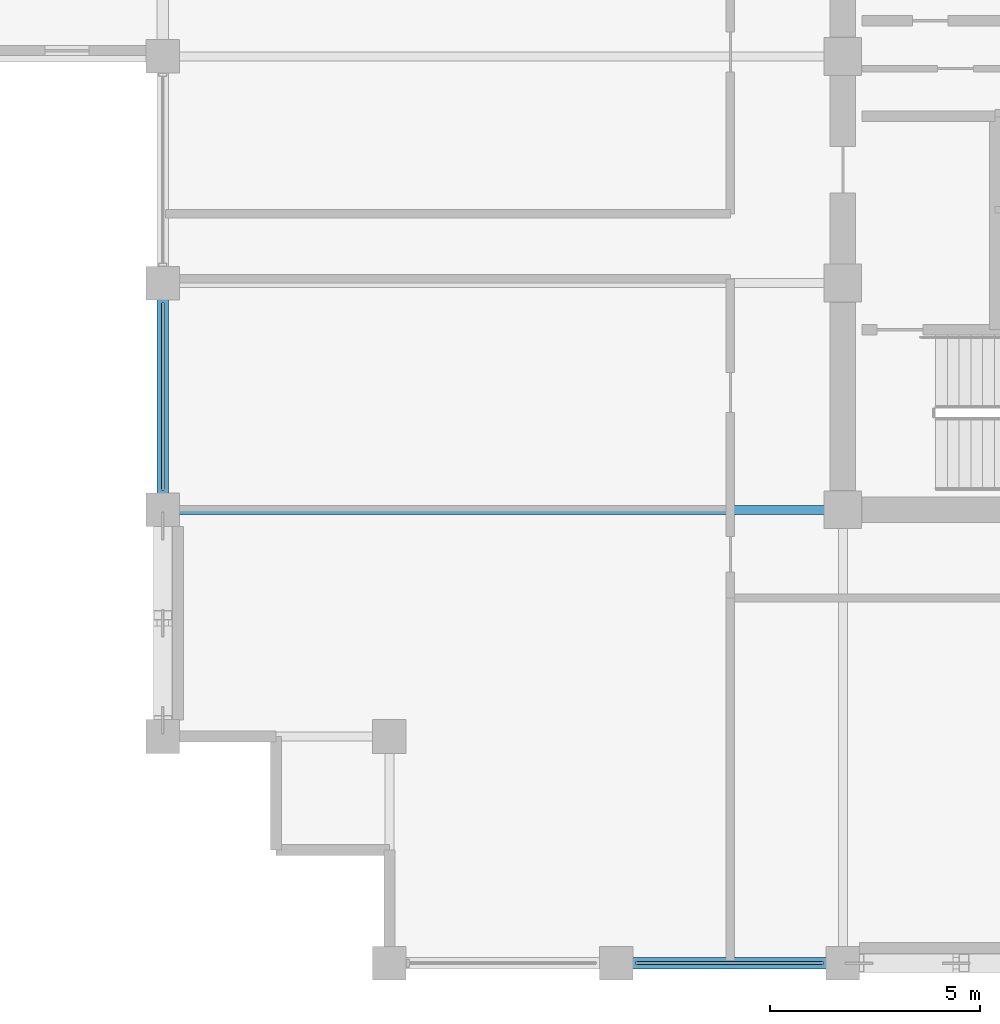
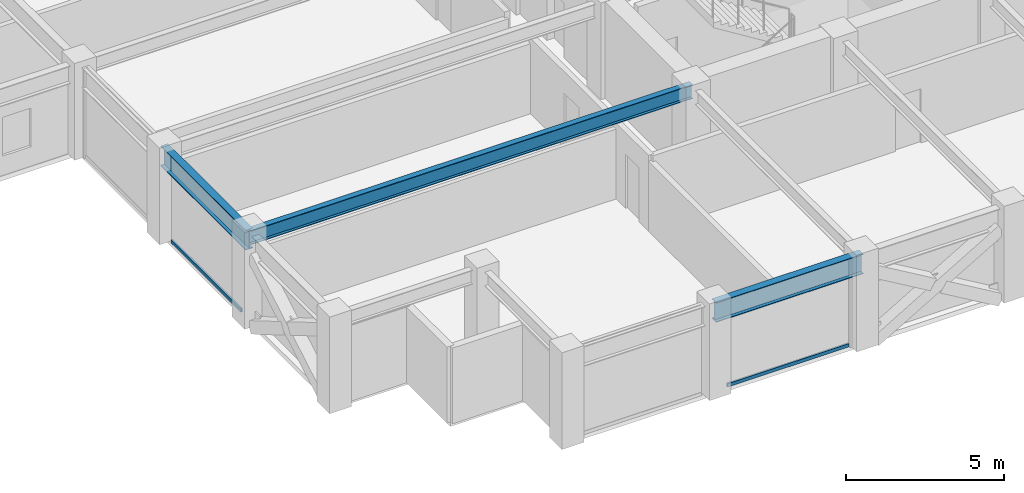
# One storey, part 3 of 28: 3 beams, 2 members, 2 elements without a shape of their own.
"""IFC4 building model written with IfcOpenShell, lengths in metres."""

from ifc_helpers import new_model, si_unit, direction, frame, origin, origin_2d, place, context, subcontext, project, spatial, hollow_rectangle, i_section, extrude, material, layer, layer_set, material_profile, profile_set, type_object, element, aggregate, save


model = new_model("IFC4")

# Units and contexts
model_context = context("Model", 3, precision=1e-05, world=origin(), true_north=direction((0.0, 1.0)))
body_context = subcontext(model_context, "Body", "Model", "MODEL_VIEW")
ifc_project = project(units=[si_unit("LENGTHUNIT", "METRE"), si_unit("AREAUNIT", "SQUARE_METRE"), si_unit("VOLUMEUNIT", "CUBIC_METRE"), si_unit("PLANEANGLEUNIT", "RADIAN"), si_unit("MASSUNIT", "GRAM", prefix="KILO")], contexts=[model_context])

# Site, building, storey
site_placement = place(None, origin())
site = spatial("IfcSite", under=ifc_project, at=site_placement, CompositionType="ELEMENT")
building_placement = place(site_placement, origin())
building = spatial("IfcBuilding", under=site, at=building_placement, Name="Surkhivell Harbour Commons", CompositionType="ELEMENT")
storey_placement = place(building_placement, frame((0.0, 0.0, 246.0)))
storey = spatial("IfcBuildingStorey", under=building, at=storey_placement, Name="L64", CompositionType="ELEMENT", Elevation=246.0)

# Beams
ifc_material_1 = material(Name="Steel S355", Category="steel")
ifc_material_profile_1 = material_profile(ifc_material_1, i_section(OverallWidth=0.2119140625, OverallDepth=0.5439453125, WebThickness=0.0126953125, FlangeThickness=0.021240234375, at=origin_2d()), Name="UB533x210x122")
ifc_profile_set_1 = profile_set([ifc_material_profile_1], Name="Steel S355")
beam_type_1 = type_object("IfcBeamType", Name="BM-GRD-533A", PredefinedType="BEAM", material=ifc_profile_set_1)
beam_1_placement = place(storey_placement, frame((-27.0, -10.800048828125, 3.22802734375), z_axis=(1.0, 0.0, 0.0), x_axis=(0.0, 1.0, 0.0)))
element("IfcBeam", 1, at=beam_1_placement, inside=storey, type_object=beam_type_1, Name="L64 Floor Girder (-27.0,-10.8)", PredefinedType="BEAM", context=body_context, shape_type="SweptSolid", body=[
    extrude(i_section(OverallWidth=0.2119140625, OverallDepth=0.5439453125, WebThickness=0.0126953125, FlangeThickness=0.021240234375, at=origin_2d()), origin(), (0.0, 0.0, 1.0), 16.199951171875),
])
ifc_material_profile_2 = material_profile(ifc_material_1, i_section(OverallWidth=0.26806640625, OverallDepth=0.77001953125, WebThickness=0.015625, FlangeThickness=0.025390625, at=origin_2d()), Name="UB762x267x197")
ifc_profile_set_2 = profile_set([ifc_material_profile_2], Name="Steel S355")
beam_type_2 = type_object("IfcBeamType", Name="BM-SPN-762", PredefinedType="SPANDREL", material=ifc_profile_set_2)
beam_2_placement = place(storey_placement, frame((-27.0, -10.800048828125, 3.114990234375), z_axis=(0.0, 1.0, 0.0), x_axis=(-1.0, 0.0, 0.0)))
element("IfcBeam", 2, at=beam_2_placement, inside=storey, type_object=beam_type_2, Name="L64 Tube Spandrel (-27.0,-10.8)", PredefinedType="SPANDREL", context=body_context, shape_type="SweptSolid", body=[
    extrude(i_section(OverallWidth=0.26806640625, OverallDepth=0.77001953125, WebThickness=0.015625, FlangeThickness=0.025390625, at=origin_2d()), origin(), (0.0, 0.0, 1.0), 5.400146484375),
])
beam_3_placement = place(storey_placement, frame((-16.199951171875, -21.60009765625, 3.114990234375), z_axis=(1.0, 0.0, 0.0), x_axis=(0.0, 1.0, 0.0)))
element("IfcBeam", 3, at=beam_3_placement, inside=storey, type_object=beam_type_2, Name="L64 Tube Spandrel (-16.2,-21.6)", PredefinedType="SPANDREL", context=body_context, shape_type="SweptSolid", body=[
    extrude(i_section(OverallWidth=0.26806640625, OverallDepth=0.77001953125, WebThickness=0.015625, FlangeThickness=0.025390625, at=origin_2d()), origin(), (0.0, 0.0, 1.0), 5.39990234375),
])

# Curtain wall, member
ifc_material_2 = material(Name="Anodised pale-metal aluminium and insulated glazing", Category="aluminium")
ifc_layer = layer(ifc_material_2, 0.18994140625)
ifc_layer_set = layer_set([ifc_layer], Name="Anodised pale-metal aluminium and insulated glazing")
curtain_wall_type = type_object("IfcCurtainWallType", Name="CW-SYS-Z3", PredefinedType="NOTDEFINED", material=ifc_layer_set)
curtain_wall_1_placement = place(storey_placement, origin())
curtain_wall_1 = element("IfcCurtainWall", 4, at=curtain_wall_1_placement, inside=storey, type_object=curtain_wall_type, Name="L64 Curtain Wall CW-L64-E00S1", PredefinedType="NOTDEFINED")
ifc_material_3 = material(Name="Champagne anodised aluminium alloy 6063-T6", Category="aluminium")
ifc_material_profile_3 = material_profile(ifc_material_3, hollow_rectangle(XDim=0.070068359375, YDim=0.1298828125, WallThickness=0.00341796875, at=origin_2d()), Name="ALU-TRAN-70x130")
ifc_profile_set_3 = profile_set([ifc_material_profile_3], Name="Champagne anodised aluminium alloy 6063-T6")
member_type = type_object("IfcMemberType", Name="CWT-130", PredefinedType="USERDEFINED", material=ifc_profile_set_3)
member_1_placement = place(storey_placement, frame((-15.722900390625, -21.60009765625, 0.06494140625), z_axis=(1.0, 0.0, 0.0), x_axis=(0.0, 1.0, 0.0)))
member_1 = element("IfcMember", 5, at=member_1_placement, type_object=member_type, Name="CW-Z3 transom 2.1", ObjectType="TRANSOM", PredefinedType="USERDEFINED", context=body_context, shape_type="SweptSolid", body=[
    extrude(hollow_rectangle(XDim=0.070068359375, YDim=0.1298828125, WallThickness=0.00341796875, at=origin_2d()), origin(), (0.0, 0.0, 1.0), 4.44580078125),
])
aggregate(curtain_wall_1, [member_1])

curtain_wall_2_placement = place(storey_placement, origin())
curtain_wall_2 = element("IfcCurtainWall", 6, at=curtain_wall_2_placement, inside=storey, type_object=curtain_wall_type, Name="L64 Curtain Wall CW-L64-E12R1S1", PredefinedType="NOTDEFINED")
member_2_placement = place(storey_placement, frame((-27.0, -10.322998046875, 0.06494140625), z_axis=(0.0, 1.0, 0.0), x_axis=(-1.0, 0.0, 0.0)))
member_2 = element("IfcMember", 7, at=member_2_placement, type_object=member_type, Name="CW-Z3 transom 1.1", ObjectType="TRANSOM", PredefinedType="USERDEFINED", context=body_context, shape_type="SweptSolid", body=[
    extrude(hollow_rectangle(XDim=0.070068359375, YDim=0.1298828125, WallThickness=0.00341796875, at=origin_2d()), origin(), (0.0, 0.0, 1.0), 4.446044921875),
])
aggregate(curtain_wall_2, [member_2])

save(model, "model.ifc")
